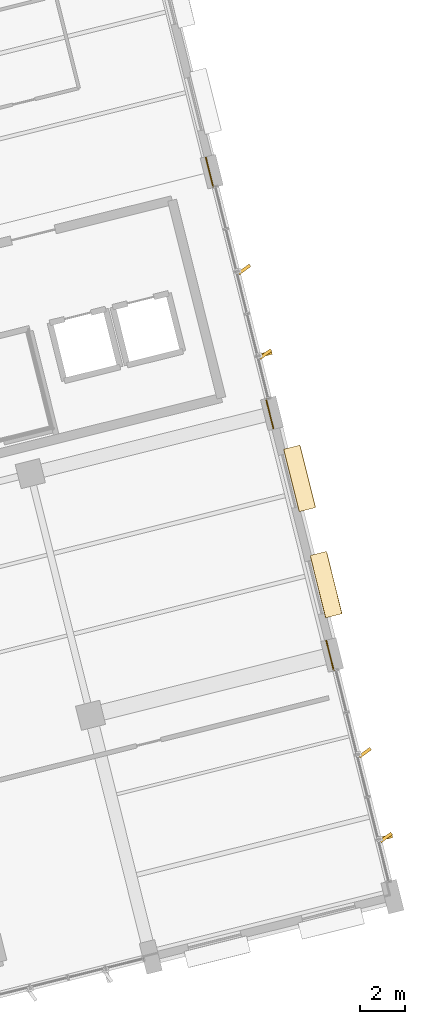
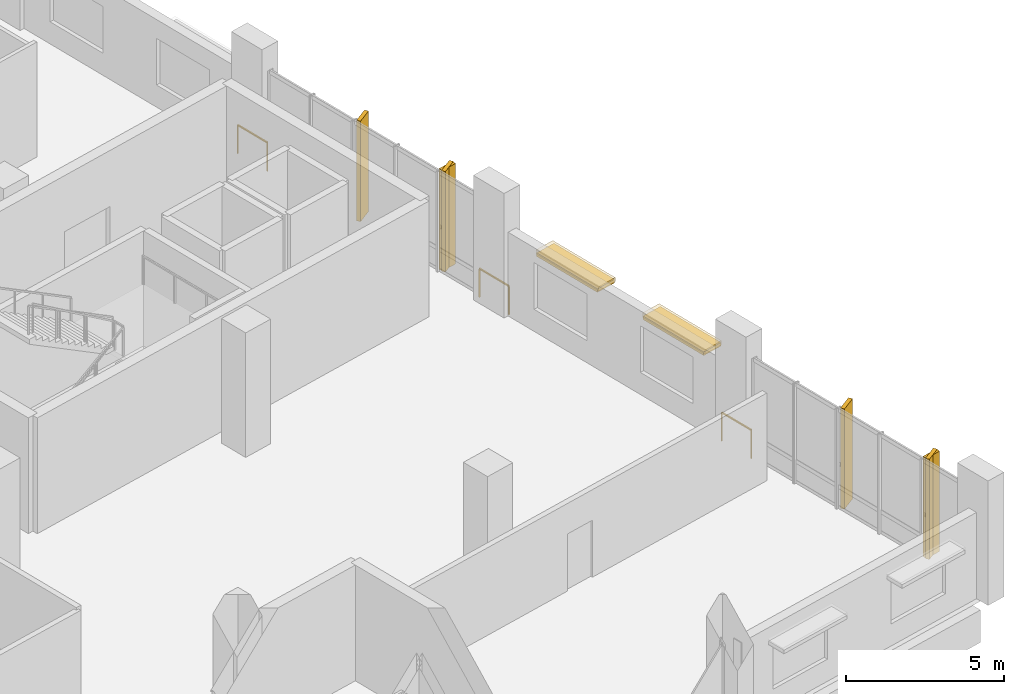
# One storey, part 135 of 137: 6 shading devices, 4 coverings, 3 railings.
"""IFC4 building model written with IfcOpenShell, lengths in metres."""

from ifc_helpers import new_model, si_unit, direction, frame, origin, origin_2d, place, context, subcontext, project, spatial, rectangle, extrude, material, layer, layer_set, type_object, element, save


model = new_model("IFC4")

# Units and contexts
model_context = context("Model", 3, precision=1e-05, world=origin(), true_north=direction((0.0, 1.0)))
body_context = subcontext(model_context, "Body", "Model", "MODEL_VIEW")
ifc_project = project(units=[si_unit("LENGTHUNIT", "METRE"), si_unit("AREAUNIT", "SQUARE_METRE"), si_unit("VOLUMEUNIT", "CUBIC_METRE"), si_unit("PLANEANGLEUNIT", "RADIAN"), si_unit("MASSUNIT", "GRAM", prefix="KILO")], contexts=[model_context])

# Site, building, storey
site_placement = place(None, origin())
site = spatial("IfcSite", under=ifc_project, at=site_placement, CompositionType="ELEMENT")
building_placement = place(site_placement, origin())
building = spatial("IfcBuilding", under=site, at=building_placement, Name="Khorjan Park Terminus", CompositionType="ELEMENT")
storey_placement = place(building_placement, frame((0.0, 0.0, 11.4)))
storey = spatial("IfcBuildingStorey", under=building, at=storey_placement, Name="L02", CompositionType="ELEMENT", Elevation=11.4)

# Coverings
ifc_material_1 = material(Name="Pigmented Precast GRC", Category="concrete")
ifc_layer_1 = layer(ifc_material_1, 0.16)
ifc_layer_set_1 = layer_set([ifc_layer_1], Name="Pigmented Precast GRC")
covering_type_1 = type_object("IfcCoveringType", Name="CV-FIN-GRC", PredefinedType="CLADDING", material=ifc_layer_set_1)
covering_1_placement = place(storey_placement, frame((229.7531, 20.5833, -0.02), z_axis=(0.0, 0.0, 1.0), x_axis=(-0.970295726276, -0.2419218956, 0.0)))
element("IfcCovering", 1, at=covering_1_placement, inside=storey, type_object=covering_type_1, Name="Projecting desert-sandstone GRC facade fin CL-FN1 (CW-V5-E-L02-B01-1)", PredefinedType="CLADDING", context=body_context, shape_type="SweptSolid", body=[
    extrude(rectangle(XDim=0.58, YDim=0.16, at=origin_2d()), origin(), (0.0, 0.0, 1.0), 3.865),
])
covering_2_placement = place(storey_placement, frame((224.4308, 41.9297, -0.02), z_axis=(0.0, 0.0, 1.0), x_axis=(-0.970295726276, -0.2419218956, 0.0)))
element("IfcCovering", 2, at=covering_2_placement, inside=storey, type_object=covering_type_1, Name="Projecting desert-sandstone GRC facade fin CL-FN1 (CW-V5-E-L02-B03-1)", PredefinedType="CLADDING", context=body_context, shape_type="SweptSolid", body=[
    extrude(rectangle(XDim=0.58, YDim=0.16, at=origin_2d()), origin(), (0.0, 0.0, 1.0), 3.875),
])
ifc_layer_2 = layer(ifc_material_1, 0.18)
ifc_layer_set_2 = layer_set([ifc_layer_2], Name="Pigmented Precast GRC")
covering_type_2 = type_object("IfcCoveringType", Name="CV-HOOD-GRC", PredefinedType="CLADDING", material=ifc_layer_set_2)
for number, where, z_axis, x_axis, name in (
    (3, (227.1081, 31.7494, 2.73), (0.0, 0.0, 1.0), (-0.241919949632, 0.970296211458, 0.0), "Projecting desert-sandstone GRC window eyebrow CL-HD1 (EW-V5-E-L02-B02-1)"),
    (4, (225.9385, 36.4407, 2.73), (0.0, 0.0, 1.0), (-0.241919949632, 0.970296211458, 0.0), "Projecting desert-sandstone GRC window eyebrow CL-HD1 (EW-V5-E-L02-B02-2)"),
):
    element("IfcCovering", number, at=place(storey_placement, frame(where, z_axis=z_axis, x_axis=x_axis)), inside=storey, type_object=covering_type_2, Name=name, PredefinedType="CLADDING", context=body_context, shape_type="SweptSolid", body=[
        extrude(rectangle(XDim=2.84, YDim=0.74, at=origin_2d()), origin(), (0.0, 0.0, 1.0), 0.16),
    ])

# Railings
ifc_material_2 = material(Name="Steel S355", Category="steel")
railing_type = type_object("IfcRailingType", Name="GR-112", PredefinedType="GUARDRAIL", material=ifc_material_2)
railing_1_placement = place(storey_placement, frame((221.7981, 50.608, 0.0)))
element("IfcRailing", 5, at=railing_1_placement, inside=storey, type_object=railing_type, Name="Perimeter safety guard GR-112 (L02-71)", PredefinedType="GUARDRAIL", context=body_context, shape_type="SweptSolid", body=[
    extrude(rectangle(XDim=0.048, YDim=0.048, at=origin_2d()), frame((0.0, 0.0, 1.096), z_axis=(0.24194076503, -0.970291021404, 0.0), x_axis=(0.970291021404, 0.24194076503, 0.0)), (0.0, 0.0, 1.0), 1.345),
    extrude(rectangle(XDim=0.042, YDim=0.042, at=origin_2d()), origin(), (0.0, 0.0, 1.0), 1.072),
    extrude(rectangle(XDim=0.042, YDim=0.042, at=origin_2d()), frame((0.3254, -1.305, 0.0)), (0.0, 0.0, 1.0), 1.072),
])
railing_2_placement = place(storey_placement, frame((224.4558, 39.9487, 0.0)))
element("IfcRailing", 6, at=railing_2_placement, inside=storey, type_object=railing_type, Name="Perimeter safety guard GR-112 (L02-72)", PredefinedType="GUARDRAIL", context=body_context, shape_type="SweptSolid", body=[
    extrude(rectangle(XDim=0.048, YDim=0.048, at=origin_2d()), frame((0.0, 0.0, 1.096), z_axis=(0.241923311945, -0.97029537314, 0.0), x_axis=(0.97029537314, 0.241923311945, 0.0)), (0.0, 0.0, 1.0), 1.3451),
    extrude(rectangle(XDim=0.042, YDim=0.042, at=origin_2d()), origin(), (0.0, 0.0, 1.0), 1.072),
    extrude(rectangle(XDim=0.042, YDim=0.042, at=origin_2d()), frame((0.3254, -1.3051, 0.0)), (0.0, 0.0, 1.0), 1.072),
])
railing_3_placement = place(storey_placement, frame((227.1205, 29.2611, 0.0)))
element("IfcRailing", 7, at=railing_3_placement, inside=storey, type_object=railing_type, Name="Perimeter safety guard GR-112 (L02-73)", PredefinedType="GUARDRAIL", context=body_context, shape_type="SweptSolid", body=[
    extrude(rectangle(XDim=0.048, YDim=0.048, at=origin_2d()), frame((0.0, 0.0, 1.096), z_axis=(0.241870763547, -0.970308473498, 0.0), x_axis=(0.970308473498, 0.241870763547, 0.0)), (0.0, 0.0, 1.0), 1.3449),
    extrude(rectangle(XDim=0.042, YDim=0.042, at=origin_2d()), origin(), (0.0, 0.0, 1.0), 1.072),
    extrude(rectangle(XDim=0.042, YDim=0.042, at=origin_2d()), frame((0.3253, -1.305, 0.0)), (0.0, 0.0, 1.0), 1.072),
])

# Shading devices
ifc_material_3 = material(Name="Anodized Bronze Aluminium", Category="aluminium")
shading_device_type_1 = type_object("IfcShadingDeviceType", Name="SD-FIN-620", PredefinedType="JALOUSIE", material=ifc_material_3)
for number, where, z_axis, x_axis, name in (
    (8, (229.7531, 20.5833, -0.02), (0.0, 0.0, 1.0), (-0.809016994375, -0.587785252292, 0.0), "Angled solar brise-soleil fin SF-62 (CW-V5-E-L02-B01-1)"),
    (9, (228.8202, 24.3248, -0.02), (0.0, 0.0, 1.0), (-0.809016994375, -0.587785252292, 0.0), "Angled solar brise-soleil fin SF-62 (CW-V5-E-L02-B01-3)"),
):
    element("IfcShadingDevice", number, at=place(storey_placement, frame(where, z_axis=z_axis, x_axis=x_axis)), inside=storey, type_object=shading_device_type_1, Name=name, PredefinedType="JALOUSIE", context=body_context, shape_type="SweptSolid", body=[
        extrude(rectangle(XDim=0.62, YDim=0.14, at=origin_2d()), origin(), (0.0, 0.0, 1.0), 3.865),
    ])
for number, where, z_axis, x_axis, name in (
    (10, (224.4308, 41.9297, -0.02), (0.0, 0.0, 1.0), (-0.809016994375, -0.587785252292, 0.0), "Angled solar brise-soleil fin SF-62 (CW-V5-E-L02-B03-1)"),
    (11, (223.4979, 45.6714, -0.02), (0.0, 0.0, 1.0), (-0.809016994375, -0.587785252292, 0.0), "Angled solar brise-soleil fin SF-62 (CW-V5-E-L02-B03-3)"),
):
    element("IfcShadingDevice", number, at=place(storey_placement, frame(where, z_axis=z_axis, x_axis=x_axis)), inside=storey, type_object=shading_device_type_1, Name=name, PredefinedType="JALOUSIE", context=body_context, shape_type="SweptSolid", body=[
        extrude(rectangle(XDim=0.62, YDim=0.14, at=origin_2d()), origin(), (0.0, 0.0, 1.0), 3.875),
    ])
shading_device_type_2 = type_object("IfcShadingDeviceType", Name="SD-SUN-750", PredefinedType="SHUTTER", material=ifc_material_3)
for number, where, z_axis, x_axis, name in (
    (12, (227.1081, 31.7494, 2.66), (0.0, 0.0, 1.0), (-0.241919949632, 0.970296211458, 0.0), "Projecting solar overhang hood SH-75 (EW-V5-E-L02-B02-1)"),
    (13, (225.9385, 36.4407, 2.66), (0.0, 0.0, 1.0), (-0.241919949632, 0.970296211458, 0.0), "Projecting solar overhang hood SH-75 (EW-V5-E-L02-B02-2)"),
):
    element("IfcShadingDevice", number, at=place(storey_placement, frame(where, z_axis=z_axis, x_axis=x_axis)), inside=storey, type_object=shading_device_type_2, Name=name, PredefinedType="SHUTTER", context=body_context, shape_type="SweptSolid", body=[
        extrude(rectangle(XDim=2.76, YDim=0.76, at=origin_2d()), origin(), (0.0, 0.0, 1.0), 0.14),
    ])

save(model, "model.ifc")
